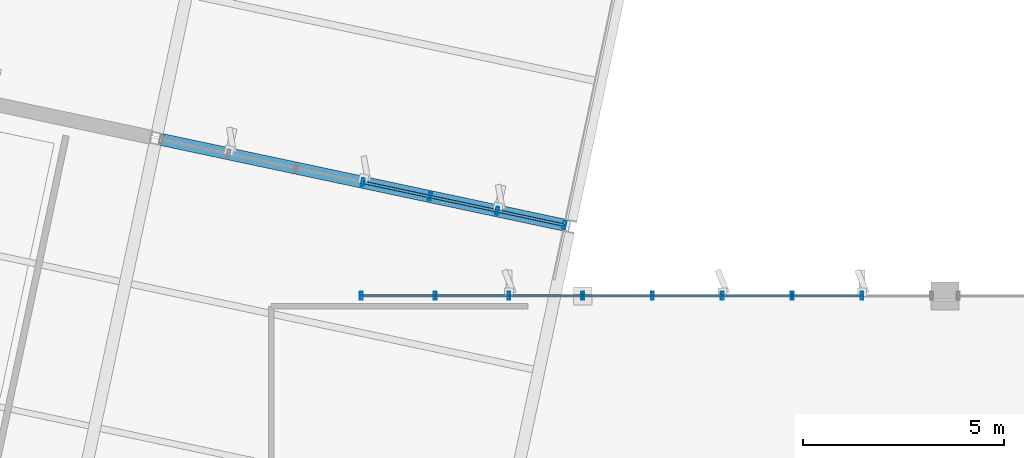
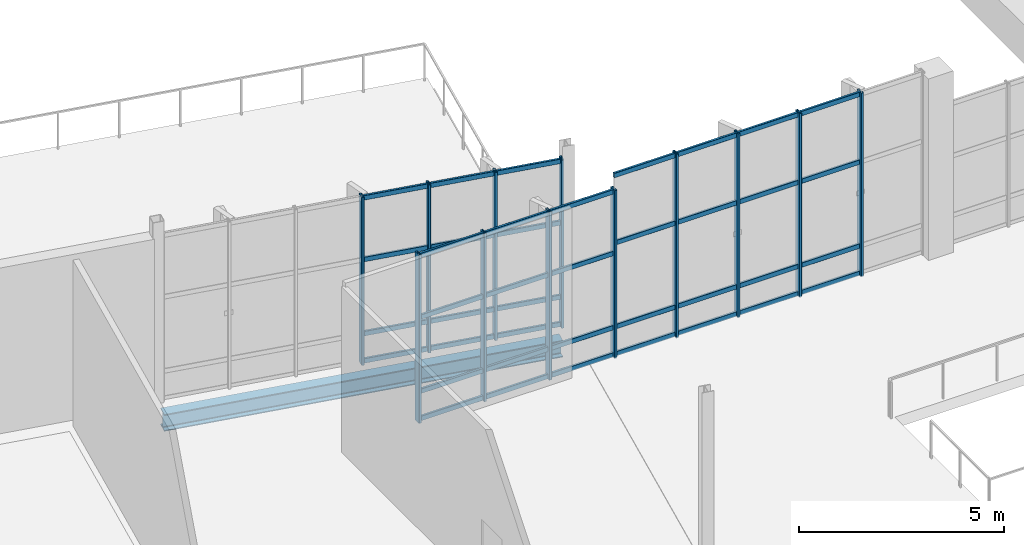
# One storey, part 43 of 176: 52 members, 1 beam, 3 elements without a shape of their own.
"""IFC4 building model written with IfcOpenShell, lengths in metres."""

from ifc_helpers import new_model, si_unit, direction, frame, origin, origin_2d, place, context, subcontext, project, spatial, hollow_rectangle, i_section, extrude, material, layer, layer_set, material_profile, profile_set, type_object, element, aggregate, save


model = new_model("IFC4")

# Units and contexts
model_context = context("Model", 3, precision=1e-05, world=origin(), true_north=direction((0.0, 1.0)))
body_context = subcontext(model_context, "Body", "Model", "MODEL_VIEW")
ifc_project = project(units=[si_unit("LENGTHUNIT", "METRE"), si_unit("AREAUNIT", "SQUARE_METRE"), si_unit("VOLUMEUNIT", "CUBIC_METRE"), si_unit("PLANEANGLEUNIT", "RADIAN"), si_unit("MASSUNIT", "GRAM", prefix="KILO")], contexts=[model_context])

# Site, building, storey
site_placement = place(None, origin())
site = spatial("IfcSite", under=ifc_project, at=site_placement, CompositionType="ELEMENT")
building_placement = place(site_placement, origin())
building = spatial("IfcBuilding", under=site, at=building_placement, Name="Khorjan Park Terminus", CompositionType="ELEMENT")
storey_placement = place(building_placement, frame((0.0, 0.0, 6.0)))
storey = spatial("IfcBuildingStorey", under=building, at=storey_placement, Name="L01", CompositionType="ELEMENT", Elevation=6.0)

# Beam
ifc_material_1 = material(Name="Steel S355", Category="steel")
ifc_material_profile_1 = material_profile(ifc_material_1, i_section(OverallWidth=0.3, OverallDepth=0.5, WebThickness=0.0145, FlangeThickness=0.028, FilletRadius=0.027, at=origin_2d()), Name="HEB 500")
ifc_profile_set_1 = profile_set([ifc_material_profile_1], Name="Steel S355")
beam_type = type_object("IfcBeamType", Name="BM-HEB500", PredefinedType="BEAM", material=ifc_profile_set_1)
beam_placement = place(storey_placement, frame((21.544, 69.8826, -0.61), z_axis=(0.978147224785, -0.207913459509, 0.0), x_axis=(0.207913459509, 0.978147224785, 0.0)))
element("IfcBeam", 1, at=beam_placement, inside=storey, type_object=beam_type, Name="Primary skew-grid floor girder SB-B50 (L01)", PredefinedType="BEAM", context=body_context, shape_type="SweptSolid", body=[
    extrude(i_section(OverallWidth=0.3, OverallDepth=0.5, WebThickness=0.0145, FlangeThickness=0.028, FilletRadius=0.027, at=origin_2d()), origin(), (0.0, 0.0, 1.0), 10.21),
])

# Curtain wall, members
ifc_material_2 = material(Name="Anodized Bronze Aluminium", Category="aluminium")
ifc_layer = layer(ifc_material_2, 0.22)
ifc_layer_set = layer_set([ifc_layer], Name="Anodized Bronze Aluminium")
curtain_wall_type = type_object("IfcCurtainWallType", Name="CW-PAV-C", PredefinedType="NOTDEFINED", material=ifc_layer_set)
curtain_wall_1_placement = place(storey_placement, origin())
curtain_wall_1 = element("IfcCurtainWall", 2, at=curtain_wall_1_placement, inside=storey, type_object=curtain_wall_type, Name="Unitized curtain wall CW-C (CW-V4L-N-L01-1)", PredefinedType="NOTDEFINED")
ifc_material_profile_2 = material_profile(ifc_material_2, hollow_rectangle(XDim=0.07, YDim=0.2, WallThickness=0.005, InnerFilletRadius=0.005, OuterFilletRadius=0.01, at=origin_2d()), Name="ALM 70x200x5")
ifc_profile_set_2 = profile_set([ifc_material_profile_2], Name="Anodized Bronze Aluminium")
member_type_1 = type_object("IfcMemberType", Name="ML-ALM-200", PredefinedType="MULLION", material=ifc_profile_set_2)
member_1_placement = place(storey_placement, frame((32.0, 66.0, -0.035), z_axis=(0.0, 0.0, 1.0), x_axis=(-1.0, 0.0, 0.0)))
member_1 = element("IfcMember", 3, at=member_1_placement, type_object=member_type_1, Name="Curtain-wall mullion ML-20 (CW-V4L-N-L01-1-0)", PredefinedType="MULLION", context=body_context, shape_type="SweptSolid", body=[
    extrude(hollow_rectangle(XDim=0.07, YDim=0.2, WallThickness=0.005, InnerFilletRadius=0.005, OuterFilletRadius=0.01, at=origin_2d()), origin(), (0.0, 0.0, 1.0), 5.0),
])
member_2_placement = place(storey_placement, frame((30.1667, 66.0, -0.035), z_axis=(0.0, 0.0, 1.0), x_axis=(-1.0, 0.0, 0.0)))
member_2 = element("IfcMember", 4, at=member_2_placement, type_object=member_type_1, Name="Curtain-wall mullion ML-20 (CW-V4L-N-L01-1-1)", PredefinedType="MULLION", context=body_context, shape_type="SweptSolid", body=[
    extrude(hollow_rectangle(XDim=0.07, YDim=0.2, WallThickness=0.005, InnerFilletRadius=0.005, OuterFilletRadius=0.01, at=origin_2d()), origin(), (0.0, 0.0, 1.0), 5.0),
])
member_3_placement = place(storey_placement, frame((28.3333, 66.0, -0.035), z_axis=(0.0, 0.0, 1.0), x_axis=(-1.0, 0.0, 0.0)))
member_3 = element("IfcMember", 5, at=member_3_placement, type_object=member_type_1, Name="Curtain-wall mullion ML-20 (CW-V4L-N-L01-1-2)", PredefinedType="MULLION", context=body_context, shape_type="SweptSolid", body=[
    extrude(hollow_rectangle(XDim=0.07, YDim=0.2, WallThickness=0.005, InnerFilletRadius=0.005, OuterFilletRadius=0.01, at=origin_2d()), origin(), (0.0, 0.0, 1.0), 5.0),
])
member_4_placement = place(storey_placement, frame((26.5, 66.0, -0.035), z_axis=(0.0, 0.0, 1.0), x_axis=(-1.0, 0.0, 0.0)))
member_4 = element("IfcMember", 6, at=member_4_placement, type_object=member_type_1, Name="Curtain-wall mullion ML-20 (CW-V4L-N-L01-1-3)", PredefinedType="MULLION", context=body_context, shape_type="SweptSolid", body=[
    extrude(hollow_rectangle(XDim=0.07, YDim=0.2, WallThickness=0.005, InnerFilletRadius=0.005, OuterFilletRadius=0.01, at=origin_2d()), origin(), (0.0, 0.0, 1.0), 5.0),
])

curtain_wall_2_placement = place(storey_placement, origin())
curtain_wall_2 = element("IfcCurtainWall", 7, at=curtain_wall_2_placement, inside=storey, type_object=curtain_wall_type, Name="Unitized curtain wall CW-C (CW-V4L-N-L01-2)", PredefinedType="NOTDEFINED")
member_5_placement = place(storey_placement, frame((38.936, 66.0, -0.035), z_axis=(0.0, 0.0, 1.0), x_axis=(-1.0, 0.0, 0.0)))
member_5 = element("IfcMember", 8, at=member_5_placement, type_object=member_type_1, Name="Curtain-wall mullion ML-20 (CW-V4L-N-L01-2-1)", PredefinedType="MULLION", context=body_context, shape_type="SweptSolid", body=[
    extrude(hollow_rectangle(XDim=0.07, YDim=0.2, WallThickness=0.005, InnerFilletRadius=0.005, OuterFilletRadius=0.01, at=origin_2d()), origin(), (0.0, 0.0, 1.0), 5.47),
])
member_6_placement = place(storey_placement, frame((37.202, 66.0, -0.035), z_axis=(0.0, 0.0, 1.0), x_axis=(-1.0, 0.0, 0.0)))
member_6 = element("IfcMember", 9, at=member_6_placement, type_object=member_type_1, Name="Curtain-wall mullion ML-20 (CW-V4L-N-L01-2-2)", PredefinedType="MULLION", context=body_context, shape_type="SweptSolid", body=[
    extrude(hollow_rectangle(XDim=0.07, YDim=0.2, WallThickness=0.005, InnerFilletRadius=0.005, OuterFilletRadius=0.01, at=origin_2d()), origin(), (0.0, 0.0, 1.0), 5.47),
])
member_7_placement = place(storey_placement, frame((35.468, 66.0, -0.035), z_axis=(0.0, 0.0, 1.0), x_axis=(-1.0, 0.0, 0.0)))
member_7 = element("IfcMember", 10, at=member_7_placement, type_object=member_type_1, Name="Curtain-wall mullion ML-20 (CW-V4L-N-L01-2-3)", PredefinedType="MULLION", context=body_context, shape_type="SweptSolid", body=[
    extrude(hollow_rectangle(XDim=0.07, YDim=0.2, WallThickness=0.005, InnerFilletRadius=0.005, OuterFilletRadius=0.01, at=origin_2d()), origin(), (0.0, 0.0, 1.0), 5.47),
])
member_8_placement = place(storey_placement, frame((33.734, 66.0, -0.035), z_axis=(0.0, 0.0, 1.0), x_axis=(-1.0, 0.0, 0.0)))
member_8 = element("IfcMember", 11, at=member_8_placement, type_object=member_type_1, Name="Curtain-wall mullion ML-20 (CW-V4L-N-L01-2-4)", PredefinedType="MULLION", context=body_context, shape_type="SweptSolid", body=[
    extrude(hollow_rectangle(XDim=0.07, YDim=0.2, WallThickness=0.005, InnerFilletRadius=0.005, OuterFilletRadius=0.01, at=origin_2d()), origin(), (0.0, 0.0, 1.0), 5.47),
])

curtain_wall_3_placement = place(storey_placement, origin())
curtain_wall_3 = element("IfcCurtainWall", 12, at=curtain_wall_3_placement, inside=storey, type_object=curtain_wall_type, Name="Unitized curtain wall CW-C (CW-V4-N-L01-B01)", PredefinedType="NOTDEFINED")
member_9_placement = place(storey_placement, frame((31.5458, 67.7567, -0.035), z_axis=(0.0, 0.0, 1.0), x_axis=(-0.978149890677, 0.207900917192, 0.0)))
member_9 = element("IfcMember", 13, at=member_9_placement, type_object=member_type_1, Name="Curtain-wall mullion ML-20 (CW-V4-N-L01-B01-0)", PredefinedType="MULLION", context=body_context, shape_type="SweptSolid", body=[
    extrude(hollow_rectangle(XDim=0.07, YDim=0.2, WallThickness=0.005, InnerFilletRadius=0.005, OuterFilletRadius=0.01, at=origin_2d()), origin(), (0.0, 0.0, 1.0), 5.0),
])
member_10_placement = place(storey_placement, frame((29.8763, 68.1115, -0.035), z_axis=(0.0, 0.0, 1.0), x_axis=(-0.978149890677, 0.207900917192, 0.0)))
member_10 = element("IfcMember", 14, at=member_10_placement, type_object=member_type_1, Name="Curtain-wall mullion ML-20 (CW-V4-N-L01-B01-1)", PredefinedType="MULLION", context=body_context, shape_type="SweptSolid", body=[
    extrude(hollow_rectangle(XDim=0.07, YDim=0.2, WallThickness=0.005, InnerFilletRadius=0.005, OuterFilletRadius=0.01, at=origin_2d()), origin(), (0.0, 0.0, 1.0), 5.0),
])
member_11_placement = place(storey_placement, frame((28.2069, 68.4664, -0.035), z_axis=(0.0, 0.0, 1.0), x_axis=(-0.978149890677, 0.207900917192, 0.0)))
member_11 = element("IfcMember", 15, at=member_11_placement, type_object=member_type_1, Name="Curtain-wall mullion ML-20 (CW-V4-N-L01-B01-2)", PredefinedType="MULLION", context=body_context, shape_type="SweptSolid", body=[
    extrude(hollow_rectangle(XDim=0.07, YDim=0.2, WallThickness=0.005, InnerFilletRadius=0.005, OuterFilletRadius=0.01, at=origin_2d()), origin(), (0.0, 0.0, 1.0), 5.0),
])
member_12_placement = place(storey_placement, frame((26.5374, 68.8212, -0.035), z_axis=(0.0, 0.0, 1.0), x_axis=(-0.978149890677, 0.207900917192, 0.0)))
member_12 = element("IfcMember", 16, at=member_12_placement, type_object=member_type_1, Name="Curtain-wall mullion ML-20 (CW-V4-N-L01-B01-3)", PredefinedType="MULLION", context=body_context, shape_type="SweptSolid", body=[
    extrude(hollow_rectangle(XDim=0.07, YDim=0.2, WallThickness=0.005, InnerFilletRadius=0.005, OuterFilletRadius=0.01, at=origin_2d()), origin(), (0.0, 0.0, 1.0), 5.0),
])

# Member
ifc_material_profile_3 = material_profile(ifc_material_2, hollow_rectangle(XDim=0.065, YDim=0.14, WallThickness=0.004, InnerFilletRadius=0.004, OuterFilletRadius=0.008, at=origin_2d()), Name="ALT 65x140x4")
ifc_profile_set_3 = profile_set([ifc_material_profile_3], Name="Anodized Bronze Aluminium")
member_type_2 = type_object("IfcMemberType", Name="TR-ALT-140", PredefinedType="USERDEFINED", material=ifc_profile_set_3)
member_13_placement = place(storey_placement, frame((32.0, 66.0, 0.04), z_axis=(-1.0, 0.0, 0.0), x_axis=(0.0, -1.0, 0.0)))
member_13 = element("IfcMember", 17, at=member_13_placement, type_object=member_type_2, Name="Curtain-wall transom TR-14 (CW-V4L-N-L01-1-0-1)", ObjectType="TRANSOM", PredefinedType="USERDEFINED", context=body_context, shape_type="SweptSolid", body=[
    extrude(hollow_rectangle(XDim=0.065, YDim=0.14, WallThickness=0.004, InnerFilletRadius=0.004, OuterFilletRadius=0.008, at=origin_2d()), origin(), (0.0, 0.0, 1.0), 1.8333),
])

member_14_placement = place(storey_placement, frame((32.0, 66.0, 0.85), z_axis=(-1.0, 0.0, 0.0), x_axis=(0.0, -1.0, 0.0)))
member_14 = element("IfcMember", 18, at=member_14_placement, type_object=member_type_2, Name="Curtain-wall transom TR-14 (CW-V4L-N-L01-1-0-2)", ObjectType="TRANSOM", PredefinedType="USERDEFINED", context=body_context, shape_type="SweptSolid", body=[
    extrude(hollow_rectangle(XDim=0.065, YDim=0.14, WallThickness=0.004, InnerFilletRadius=0.004, OuterFilletRadius=0.008, at=origin_2d()), origin(), (0.0, 0.0, 1.0), 1.8333),
])

member_15_placement = place(storey_placement, frame((32.0, 66.0, 3.0566), z_axis=(-1.0, 0.0, 0.0), x_axis=(0.0, -1.0, 0.0)))
member_15 = element("IfcMember", 19, at=member_15_placement, type_object=member_type_2, Name="Curtain-wall transom TR-14 (CW-V4L-N-L01-1-0-3)", ObjectType="TRANSOM", PredefinedType="USERDEFINED", context=body_context, shape_type="SweptSolid", body=[
    extrude(hollow_rectangle(XDim=0.065, YDim=0.14, WallThickness=0.004, InnerFilletRadius=0.004, OuterFilletRadius=0.008, at=origin_2d()), origin(), (0.0, 0.0, 1.0), 1.8333),
])

member_16_placement = place(storey_placement, frame((32.0, 66.0, 4.89), z_axis=(-1.0, 0.0, 0.0), x_axis=(0.0, -1.0, 0.0)))
member_16 = element("IfcMember", 20, at=member_16_placement, type_object=member_type_2, Name="Curtain-wall transom TR-14 (CW-V4L-N-L01-1-0-4)", ObjectType="TRANSOM", PredefinedType="USERDEFINED", context=body_context, shape_type="SweptSolid", body=[
    extrude(hollow_rectangle(XDim=0.065, YDim=0.14, WallThickness=0.004, InnerFilletRadius=0.004, OuterFilletRadius=0.008, at=origin_2d()), origin(), (0.0, 0.0, 1.0), 1.8333),
])

member_17_placement = place(storey_placement, frame((30.1667, 66.0, 0.04), z_axis=(-1.0, 0.0, 0.0), x_axis=(0.0, -1.0, 0.0)))
member_17 = element("IfcMember", 21, at=member_17_placement, type_object=member_type_2, Name="Curtain-wall transom TR-14 (CW-V4L-N-L01-1-1-1)", ObjectType="TRANSOM", PredefinedType="USERDEFINED", context=body_context, shape_type="SweptSolid", body=[
    extrude(hollow_rectangle(XDim=0.065, YDim=0.14, WallThickness=0.004, InnerFilletRadius=0.004, OuterFilletRadius=0.008, at=origin_2d()), origin(), (0.0, 0.0, 1.0), 1.8334),
])

member_18_placement = place(storey_placement, frame((30.1667, 66.0, 0.85), z_axis=(-1.0, 0.0, 0.0), x_axis=(0.0, -1.0, 0.0)))
member_18 = element("IfcMember", 22, at=member_18_placement, type_object=member_type_2, Name="Curtain-wall transom TR-14 (CW-V4L-N-L01-1-1-2)", ObjectType="TRANSOM", PredefinedType="USERDEFINED", context=body_context, shape_type="SweptSolid", body=[
    extrude(hollow_rectangle(XDim=0.065, YDim=0.14, WallThickness=0.004, InnerFilletRadius=0.004, OuterFilletRadius=0.008, at=origin_2d()), origin(), (0.0, 0.0, 1.0), 1.8334),
])

member_19_placement = place(storey_placement, frame((30.1667, 66.0, 3.0566), z_axis=(-1.0, 0.0, 0.0), x_axis=(0.0, -1.0, 0.0)))
member_19 = element("IfcMember", 23, at=member_19_placement, type_object=member_type_2, Name="Curtain-wall transom TR-14 (CW-V4L-N-L01-1-1-3)", ObjectType="TRANSOM", PredefinedType="USERDEFINED", context=body_context, shape_type="SweptSolid", body=[
    extrude(hollow_rectangle(XDim=0.065, YDim=0.14, WallThickness=0.004, InnerFilletRadius=0.004, OuterFilletRadius=0.008, at=origin_2d()), origin(), (0.0, 0.0, 1.0), 1.8334),
])

member_20_placement = place(storey_placement, frame((30.1667, 66.0, 4.89), z_axis=(-1.0, 0.0, 0.0), x_axis=(0.0, -1.0, 0.0)))
member_20 = element("IfcMember", 24, at=member_20_placement, type_object=member_type_2, Name="Curtain-wall transom TR-14 (CW-V4L-N-L01-1-1-4)", ObjectType="TRANSOM", PredefinedType="USERDEFINED", context=body_context, shape_type="SweptSolid", body=[
    extrude(hollow_rectangle(XDim=0.065, YDim=0.14, WallThickness=0.004, InnerFilletRadius=0.004, OuterFilletRadius=0.008, at=origin_2d()), origin(), (0.0, 0.0, 1.0), 1.8334),
])

member_21_placement = place(storey_placement, frame((28.3333, 66.0, 0.04), z_axis=(-1.0, 0.0, 0.0), x_axis=(0.0, -1.0, 0.0)))
member_21 = element("IfcMember", 25, at=member_21_placement, type_object=member_type_2, Name="Curtain-wall transom TR-14 (CW-V4L-N-L01-1-2-1)", ObjectType="TRANSOM", PredefinedType="USERDEFINED", context=body_context, shape_type="SweptSolid", body=[
    extrude(hollow_rectangle(XDim=0.065, YDim=0.14, WallThickness=0.004, InnerFilletRadius=0.004, OuterFilletRadius=0.008, at=origin_2d()), origin(), (0.0, 0.0, 1.0), 1.8333),
])

member_22_placement = place(storey_placement, frame((28.3333, 66.0, 0.85), z_axis=(-1.0, 0.0, 0.0), x_axis=(0.0, -1.0, 0.0)))
member_22 = element("IfcMember", 26, at=member_22_placement, type_object=member_type_2, Name="Curtain-wall transom TR-14 (CW-V4L-N-L01-1-2-2)", ObjectType="TRANSOM", PredefinedType="USERDEFINED", context=body_context, shape_type="SweptSolid", body=[
    extrude(hollow_rectangle(XDim=0.065, YDim=0.14, WallThickness=0.004, InnerFilletRadius=0.004, OuterFilletRadius=0.008, at=origin_2d()), origin(), (0.0, 0.0, 1.0), 1.8333),
])

member_23_placement = place(storey_placement, frame((28.3333, 66.0, 3.0566), z_axis=(-1.0, 0.0, 0.0), x_axis=(0.0, -1.0, 0.0)))
member_23 = element("IfcMember", 27, at=member_23_placement, type_object=member_type_2, Name="Curtain-wall transom TR-14 (CW-V4L-N-L01-1-2-3)", ObjectType="TRANSOM", PredefinedType="USERDEFINED", context=body_context, shape_type="SweptSolid", body=[
    extrude(hollow_rectangle(XDim=0.065, YDim=0.14, WallThickness=0.004, InnerFilletRadius=0.004, OuterFilletRadius=0.008, at=origin_2d()), origin(), (0.0, 0.0, 1.0), 1.8333),
])

member_24_placement = place(storey_placement, frame((28.3333, 66.0, 4.89), z_axis=(-1.0, 0.0, 0.0), x_axis=(0.0, -1.0, 0.0)))
member_24 = element("IfcMember", 28, at=member_24_placement, type_object=member_type_2, Name="Curtain-wall transom TR-14 (CW-V4L-N-L01-1-2-4)", ObjectType="TRANSOM", PredefinedType="USERDEFINED", context=body_context, shape_type="SweptSolid", body=[
    extrude(hollow_rectangle(XDim=0.065, YDim=0.14, WallThickness=0.004, InnerFilletRadius=0.004, OuterFilletRadius=0.008, at=origin_2d()), origin(), (0.0, 0.0, 1.0), 1.8333),
])

aggregate(curtain_wall_1, [member_1, member_2, member_3, member_4, member_13, member_14, member_15, member_16, member_17, member_18, member_19, member_20, member_21, member_22, member_23, member_24])

member_25_placement = place(storey_placement, frame((38.936, 66.0, 0.04), z_axis=(-1.0, 0.0, 0.0), x_axis=(0.0, -1.0, 0.0)))
member_25 = element("IfcMember", 29, at=member_25_placement, type_object=member_type_2, Name="Curtain-wall transom TR-14 (CW-V4L-N-L01-2-1-1)", ObjectType="TRANSOM", PredefinedType="USERDEFINED", context=body_context, shape_type="SweptSolid", body=[
    extrude(hollow_rectangle(XDim=0.065, YDim=0.14, WallThickness=0.004, InnerFilletRadius=0.004, OuterFilletRadius=0.008, at=origin_2d()), origin(), (0.0, 0.0, 1.0), 1.734),
])

member_26_placement = place(storey_placement, frame((38.936, 66.0, 0.85), z_axis=(-1.0, 0.0, 0.0), x_axis=(0.0, -1.0, 0.0)))
member_26 = element("IfcMember", 30, at=member_26_placement, type_object=member_type_2, Name="Curtain-wall transom TR-14 (CW-V4L-N-L01-2-1-2)", ObjectType="TRANSOM", PredefinedType="USERDEFINED", context=body_context, shape_type="SweptSolid", body=[
    extrude(hollow_rectangle(XDim=0.065, YDim=0.14, WallThickness=0.004, InnerFilletRadius=0.004, OuterFilletRadius=0.008, at=origin_2d()), origin(), (0.0, 0.0, 1.0), 1.734),
])

member_27_placement = place(storey_placement, frame((38.936, 66.0, 3.348), z_axis=(-1.0, 0.0, 0.0), x_axis=(0.0, -1.0, 0.0)))
member_27 = element("IfcMember", 31, at=member_27_placement, type_object=member_type_2, Name="Curtain-wall transom TR-14 (CW-V4L-N-L01-2-1-3)", ObjectType="TRANSOM", PredefinedType="USERDEFINED", context=body_context, shape_type="SweptSolid", body=[
    extrude(hollow_rectangle(XDim=0.065, YDim=0.14, WallThickness=0.004, InnerFilletRadius=0.004, OuterFilletRadius=0.008, at=origin_2d()), origin(), (0.0, 0.0, 1.0), 1.734),
])

member_28_placement = place(storey_placement, frame((38.936, 66.0, 5.36), z_axis=(-1.0, 0.0, 0.0), x_axis=(0.0, -1.0, 0.0)))
member_28 = element("IfcMember", 32, at=member_28_placement, type_object=member_type_2, Name="Curtain-wall transom TR-14 (CW-V4L-N-L01-2-1-4)", ObjectType="TRANSOM", PredefinedType="USERDEFINED", context=body_context, shape_type="SweptSolid", body=[
    extrude(hollow_rectangle(XDim=0.065, YDim=0.14, WallThickness=0.004, InnerFilletRadius=0.004, OuterFilletRadius=0.008, at=origin_2d()), origin(), (0.0, 0.0, 1.0), 1.734),
])

member_29_placement = place(storey_placement, frame((37.202, 66.0, 0.04), z_axis=(-1.0, 0.0, 0.0), x_axis=(0.0, -1.0, 0.0)))
member_29 = element("IfcMember", 33, at=member_29_placement, type_object=member_type_2, Name="Curtain-wall transom TR-14 (CW-V4L-N-L01-2-2-1)", ObjectType="TRANSOM", PredefinedType="USERDEFINED", context=body_context, shape_type="SweptSolid", body=[
    extrude(hollow_rectangle(XDim=0.065, YDim=0.14, WallThickness=0.004, InnerFilletRadius=0.004, OuterFilletRadius=0.008, at=origin_2d()), origin(), (0.0, 0.0, 1.0), 1.734),
])

member_30_placement = place(storey_placement, frame((37.202, 66.0, 0.85), z_axis=(-1.0, 0.0, 0.0), x_axis=(0.0, -1.0, 0.0)))
member_30 = element("IfcMember", 34, at=member_30_placement, type_object=member_type_2, Name="Curtain-wall transom TR-14 (CW-V4L-N-L01-2-2-2)", ObjectType="TRANSOM", PredefinedType="USERDEFINED", context=body_context, shape_type="SweptSolid", body=[
    extrude(hollow_rectangle(XDim=0.065, YDim=0.14, WallThickness=0.004, InnerFilletRadius=0.004, OuterFilletRadius=0.008, at=origin_2d()), origin(), (0.0, 0.0, 1.0), 1.734),
])

member_31_placement = place(storey_placement, frame((37.202, 66.0, 3.348), z_axis=(-1.0, 0.0, 0.0), x_axis=(0.0, -1.0, 0.0)))
member_31 = element("IfcMember", 35, at=member_31_placement, type_object=member_type_2, Name="Curtain-wall transom TR-14 (CW-V4L-N-L01-2-2-3)", ObjectType="TRANSOM", PredefinedType="USERDEFINED", context=body_context, shape_type="SweptSolid", body=[
    extrude(hollow_rectangle(XDim=0.065, YDim=0.14, WallThickness=0.004, InnerFilletRadius=0.004, OuterFilletRadius=0.008, at=origin_2d()), origin(), (0.0, 0.0, 1.0), 1.734),
])

member_32_placement = place(storey_placement, frame((37.202, 66.0, 5.36), z_axis=(-1.0, 0.0, 0.0), x_axis=(0.0, -1.0, 0.0)))
member_32 = element("IfcMember", 36, at=member_32_placement, type_object=member_type_2, Name="Curtain-wall transom TR-14 (CW-V4L-N-L01-2-2-4)", ObjectType="TRANSOM", PredefinedType="USERDEFINED", context=body_context, shape_type="SweptSolid", body=[
    extrude(hollow_rectangle(XDim=0.065, YDim=0.14, WallThickness=0.004, InnerFilletRadius=0.004, OuterFilletRadius=0.008, at=origin_2d()), origin(), (0.0, 0.0, 1.0), 1.734),
])

member_33_placement = place(storey_placement, frame((35.468, 66.0, 0.04), z_axis=(-1.0, 0.0, 0.0), x_axis=(0.0, -1.0, 0.0)))
member_33 = element("IfcMember", 37, at=member_33_placement, type_object=member_type_2, Name="Curtain-wall transom TR-14 (CW-V4L-N-L01-2-3-1)", ObjectType="TRANSOM", PredefinedType="USERDEFINED", context=body_context, shape_type="SweptSolid", body=[
    extrude(hollow_rectangle(XDim=0.065, YDim=0.14, WallThickness=0.004, InnerFilletRadius=0.004, OuterFilletRadius=0.008, at=origin_2d()), origin(), (0.0, 0.0, 1.0), 1.734),
])

member_34_placement = place(storey_placement, frame((35.468, 66.0, 0.85), z_axis=(-1.0, 0.0, 0.0), x_axis=(0.0, -1.0, 0.0)))
member_34 = element("IfcMember", 38, at=member_34_placement, type_object=member_type_2, Name="Curtain-wall transom TR-14 (CW-V4L-N-L01-2-3-2)", ObjectType="TRANSOM", PredefinedType="USERDEFINED", context=body_context, shape_type="SweptSolid", body=[
    extrude(hollow_rectangle(XDim=0.065, YDim=0.14, WallThickness=0.004, InnerFilletRadius=0.004, OuterFilletRadius=0.008, at=origin_2d()), origin(), (0.0, 0.0, 1.0), 1.734),
])

member_35_placement = place(storey_placement, frame((35.468, 66.0, 3.348), z_axis=(-1.0, 0.0, 0.0), x_axis=(0.0, -1.0, 0.0)))
member_35 = element("IfcMember", 39, at=member_35_placement, type_object=member_type_2, Name="Curtain-wall transom TR-14 (CW-V4L-N-L01-2-3-3)", ObjectType="TRANSOM", PredefinedType="USERDEFINED", context=body_context, shape_type="SweptSolid", body=[
    extrude(hollow_rectangle(XDim=0.065, YDim=0.14, WallThickness=0.004, InnerFilletRadius=0.004, OuterFilletRadius=0.008, at=origin_2d()), origin(), (0.0, 0.0, 1.0), 1.734),
])

member_36_placement = place(storey_placement, frame((35.468, 66.0, 5.36), z_axis=(-1.0, 0.0, 0.0), x_axis=(0.0, -1.0, 0.0)))
member_36 = element("IfcMember", 40, at=member_36_placement, type_object=member_type_2, Name="Curtain-wall transom TR-14 (CW-V4L-N-L01-2-3-4)", ObjectType="TRANSOM", PredefinedType="USERDEFINED", context=body_context, shape_type="SweptSolid", body=[
    extrude(hollow_rectangle(XDim=0.065, YDim=0.14, WallThickness=0.004, InnerFilletRadius=0.004, OuterFilletRadius=0.008, at=origin_2d()), origin(), (0.0, 0.0, 1.0), 1.734),
])

member_37_placement = place(storey_placement, frame((33.734, 66.0, 0.04), z_axis=(-1.0, 0.0, 0.0), x_axis=(0.0, -1.0, 0.0)))
member_37 = element("IfcMember", 41, at=member_37_placement, type_object=member_type_2, Name="Curtain-wall transom TR-14 (CW-V4L-N-L01-2-4-1)", ObjectType="TRANSOM", PredefinedType="USERDEFINED", context=body_context, shape_type="SweptSolid", body=[
    extrude(hollow_rectangle(XDim=0.065, YDim=0.14, WallThickness=0.004, InnerFilletRadius=0.004, OuterFilletRadius=0.008, at=origin_2d()), origin(), (0.0, 0.0, 1.0), 1.734),
])

member_38_placement = place(storey_placement, frame((33.734, 66.0, 0.85), z_axis=(-1.0, 0.0, 0.0), x_axis=(0.0, -1.0, 0.0)))
member_38 = element("IfcMember", 42, at=member_38_placement, type_object=member_type_2, Name="Curtain-wall transom TR-14 (CW-V4L-N-L01-2-4-2)", ObjectType="TRANSOM", PredefinedType="USERDEFINED", context=body_context, shape_type="SweptSolid", body=[
    extrude(hollow_rectangle(XDim=0.065, YDim=0.14, WallThickness=0.004, InnerFilletRadius=0.004, OuterFilletRadius=0.008, at=origin_2d()), origin(), (0.0, 0.0, 1.0), 1.734),
])

member_39_placement = place(storey_placement, frame((33.734, 66.0, 3.348), z_axis=(-1.0, 0.0, 0.0), x_axis=(0.0, -1.0, 0.0)))
member_39 = element("IfcMember", 43, at=member_39_placement, type_object=member_type_2, Name="Curtain-wall transom TR-14 (CW-V4L-N-L01-2-4-3)", ObjectType="TRANSOM", PredefinedType="USERDEFINED", context=body_context, shape_type="SweptSolid", body=[
    extrude(hollow_rectangle(XDim=0.065, YDim=0.14, WallThickness=0.004, InnerFilletRadius=0.004, OuterFilletRadius=0.008, at=origin_2d()), origin(), (0.0, 0.0, 1.0), 1.734),
])

member_40_placement = place(storey_placement, frame((33.734, 66.0, 5.36), z_axis=(-1.0, 0.0, 0.0), x_axis=(0.0, -1.0, 0.0)))
member_40 = element("IfcMember", 44, at=member_40_placement, type_object=member_type_2, Name="Curtain-wall transom TR-14 (CW-V4L-N-L01-2-4-4)", ObjectType="TRANSOM", PredefinedType="USERDEFINED", context=body_context, shape_type="SweptSolid", body=[
    extrude(hollow_rectangle(XDim=0.065, YDim=0.14, WallThickness=0.004, InnerFilletRadius=0.004, OuterFilletRadius=0.008, at=origin_2d()), origin(), (0.0, 0.0, 1.0), 1.734),
])

aggregate(curtain_wall_2, [member_5, member_6, member_7, member_8, member_25, member_26, member_27, member_28, member_29, member_30, member_31, member_32, member_33, member_34, member_35, member_36, member_37, member_38, member_39, member_40])

member_41_placement = place(storey_placement, frame((31.5458, 67.7567, 0.04), z_axis=(-0.978155128138, 0.207876274012, 0.0), x_axis=(-0.207876274012, -0.978155128138, 0.0)))
member_41 = element("IfcMember", 45, at=member_41_placement, type_object=member_type_2, Name="Curtain-wall transom TR-14 (CW-V4-N-L01-B01-0-1)", ObjectType="TRANSOM", PredefinedType="USERDEFINED", context=body_context, shape_type="SweptSolid", body=[
    extrude(hollow_rectangle(XDim=0.065, YDim=0.14, WallThickness=0.004, InnerFilletRadius=0.004, OuterFilletRadius=0.008, at=origin_2d()), origin(), (0.0, 0.0, 1.0), 1.7068),
])

member_42_placement = place(storey_placement, frame((31.5458, 67.7567, 0.85), z_axis=(-0.978155128138, 0.207876274012, 0.0), x_axis=(-0.207876274012, -0.978155128138, 0.0)))
member_42 = element("IfcMember", 46, at=member_42_placement, type_object=member_type_2, Name="Curtain-wall transom TR-14 (CW-V4-N-L01-B01-0-2)", ObjectType="TRANSOM", PredefinedType="USERDEFINED", context=body_context, shape_type="SweptSolid", body=[
    extrude(hollow_rectangle(XDim=0.065, YDim=0.14, WallThickness=0.004, InnerFilletRadius=0.004, OuterFilletRadius=0.008, at=origin_2d()), origin(), (0.0, 0.0, 1.0), 1.7068),
])

member_43_placement = place(storey_placement, frame((31.5458, 67.7567, 3.0566), z_axis=(-0.978155128138, 0.207876274012, 0.0), x_axis=(-0.207876274012, -0.978155128138, 0.0)))
member_43 = element("IfcMember", 47, at=member_43_placement, type_object=member_type_2, Name="Curtain-wall transom TR-14 (CW-V4-N-L01-B01-0-3)", ObjectType="TRANSOM", PredefinedType="USERDEFINED", context=body_context, shape_type="SweptSolid", body=[
    extrude(hollow_rectangle(XDim=0.065, YDim=0.14, WallThickness=0.004, InnerFilletRadius=0.004, OuterFilletRadius=0.008, at=origin_2d()), origin(), (0.0, 0.0, 1.0), 1.7068),
])

member_44_placement = place(storey_placement, frame((31.5458, 67.7567, 4.89), z_axis=(-0.978155128138, 0.207876274012, 0.0), x_axis=(-0.207876274012, -0.978155128138, 0.0)))
member_44 = element("IfcMember", 48, at=member_44_placement, type_object=member_type_2, Name="Curtain-wall transom TR-14 (CW-V4-N-L01-B01-0-4)", ObjectType="TRANSOM", PredefinedType="USERDEFINED", context=body_context, shape_type="SweptSolid", body=[
    extrude(hollow_rectangle(XDim=0.065, YDim=0.14, WallThickness=0.004, InnerFilletRadius=0.004, OuterFilletRadius=0.008, at=origin_2d()), origin(), (0.0, 0.0, 1.0), 1.7068),
])

member_45_placement = place(storey_placement, frame((29.8763, 68.1115, 0.04), z_axis=(-0.978140679962, 0.207944247825, 0.0), x_axis=(-0.207944247825, -0.978140679962, 0.0)))
member_45 = element("IfcMember", 49, at=member_45_placement, type_object=member_type_2, Name="Curtain-wall transom TR-14 (CW-V4-N-L01-B01-1-1)", ObjectType="TRANSOM", PredefinedType="USERDEFINED", context=body_context, shape_type="SweptSolid", body=[
    extrude(hollow_rectangle(XDim=0.065, YDim=0.14, WallThickness=0.004, InnerFilletRadius=0.004, OuterFilletRadius=0.008, at=origin_2d()), origin(), (0.0, 0.0, 1.0), 1.7067),
])

member_46_placement = place(storey_placement, frame((29.8763, 68.1115, 0.85), z_axis=(-0.978140679962, 0.207944247825, 0.0), x_axis=(-0.207944247825, -0.978140679962, 0.0)))
member_46 = element("IfcMember", 50, at=member_46_placement, type_object=member_type_2, Name="Curtain-wall transom TR-14 (CW-V4-N-L01-B01-1-2)", ObjectType="TRANSOM", PredefinedType="USERDEFINED", context=body_context, shape_type="SweptSolid", body=[
    extrude(hollow_rectangle(XDim=0.065, YDim=0.14, WallThickness=0.004, InnerFilletRadius=0.004, OuterFilletRadius=0.008, at=origin_2d()), origin(), (0.0, 0.0, 1.0), 1.7067),
])

member_47_placement = place(storey_placement, frame((29.8763, 68.1115, 3.0566), z_axis=(-0.978140679962, 0.207944247825, 0.0), x_axis=(-0.207944247825, -0.978140679962, 0.0)))
member_47 = element("IfcMember", 51, at=member_47_placement, type_object=member_type_2, Name="Curtain-wall transom TR-14 (CW-V4-N-L01-B01-1-3)", ObjectType="TRANSOM", PredefinedType="USERDEFINED", context=body_context, shape_type="SweptSolid", body=[
    extrude(hollow_rectangle(XDim=0.065, YDim=0.14, WallThickness=0.004, InnerFilletRadius=0.004, OuterFilletRadius=0.008, at=origin_2d()), origin(), (0.0, 0.0, 1.0), 1.7067),
])

member_48_placement = place(storey_placement, frame((29.8763, 68.1115, 4.89), z_axis=(-0.978140679962, 0.207944247825, 0.0), x_axis=(-0.207944247825, -0.978140679962, 0.0)))
member_48 = element("IfcMember", 52, at=member_48_placement, type_object=member_type_2, Name="Curtain-wall transom TR-14 (CW-V4-N-L01-B01-1-4)", ObjectType="TRANSOM", PredefinedType="USERDEFINED", context=body_context, shape_type="SweptSolid", body=[
    extrude(hollow_rectangle(XDim=0.065, YDim=0.14, WallThickness=0.004, InnerFilletRadius=0.004, OuterFilletRadius=0.008, at=origin_2d()), origin(), (0.0, 0.0, 1.0), 1.7067),
])

member_49_placement = place(storey_placement, frame((28.2069, 68.4664, 0.04), z_axis=(-0.978155128138, 0.207876274012, 0.0), x_axis=(-0.207876274012, -0.978155128138, 0.0)))
member_49 = element("IfcMember", 53, at=member_49_placement, type_object=member_type_2, Name="Curtain-wall transom TR-14 (CW-V4-N-L01-B01-2-1)", ObjectType="TRANSOM", PredefinedType="USERDEFINED", context=body_context, shape_type="SweptSolid", body=[
    extrude(hollow_rectangle(XDim=0.065, YDim=0.14, WallThickness=0.004, InnerFilletRadius=0.004, OuterFilletRadius=0.008, at=origin_2d()), origin(), (0.0, 0.0, 1.0), 1.7068),
])

member_50_placement = place(storey_placement, frame((28.2069, 68.4664, 0.85), z_axis=(-0.978155128138, 0.207876274012, 0.0), x_axis=(-0.207876274012, -0.978155128138, 0.0)))
member_50 = element("IfcMember", 54, at=member_50_placement, type_object=member_type_2, Name="Curtain-wall transom TR-14 (CW-V4-N-L01-B01-2-2)", ObjectType="TRANSOM", PredefinedType="USERDEFINED", context=body_context, shape_type="SweptSolid", body=[
    extrude(hollow_rectangle(XDim=0.065, YDim=0.14, WallThickness=0.004, InnerFilletRadius=0.004, OuterFilletRadius=0.008, at=origin_2d()), origin(), (0.0, 0.0, 1.0), 1.7068),
])

member_51_placement = place(storey_placement, frame((28.2069, 68.4664, 3.0566), z_axis=(-0.978155128138, 0.207876274012, 0.0), x_axis=(-0.207876274012, -0.978155128138, 0.0)))
member_51 = element("IfcMember", 55, at=member_51_placement, type_object=member_type_2, Name="Curtain-wall transom TR-14 (CW-V4-N-L01-B01-2-3)", ObjectType="TRANSOM", PredefinedType="USERDEFINED", context=body_context, shape_type="SweptSolid", body=[
    extrude(hollow_rectangle(XDim=0.065, YDim=0.14, WallThickness=0.004, InnerFilletRadius=0.004, OuterFilletRadius=0.008, at=origin_2d()), origin(), (0.0, 0.0, 1.0), 1.7068),
])

member_52_placement = place(storey_placement, frame((28.2069, 68.4664, 4.89), z_axis=(-0.978155128138, 0.207876274012, 0.0), x_axis=(-0.207876274012, -0.978155128138, 0.0)))
member_52 = element("IfcMember", 56, at=member_52_placement, type_object=member_type_2, Name="Curtain-wall transom TR-14 (CW-V4-N-L01-B01-2-4)", ObjectType="TRANSOM", PredefinedType="USERDEFINED", context=body_context, shape_type="SweptSolid", body=[
    extrude(hollow_rectangle(XDim=0.065, YDim=0.14, WallThickness=0.004, InnerFilletRadius=0.004, OuterFilletRadius=0.008, at=origin_2d()), origin(), (0.0, 0.0, 1.0), 1.7068),
])

aggregate(curtain_wall_3, [member_9, member_10, member_11, member_12, member_41, member_42, member_43, member_44, member_45, member_46, member_47, member_48, member_49, member_50, member_51, member_52])

save(model, "model.ifc")
